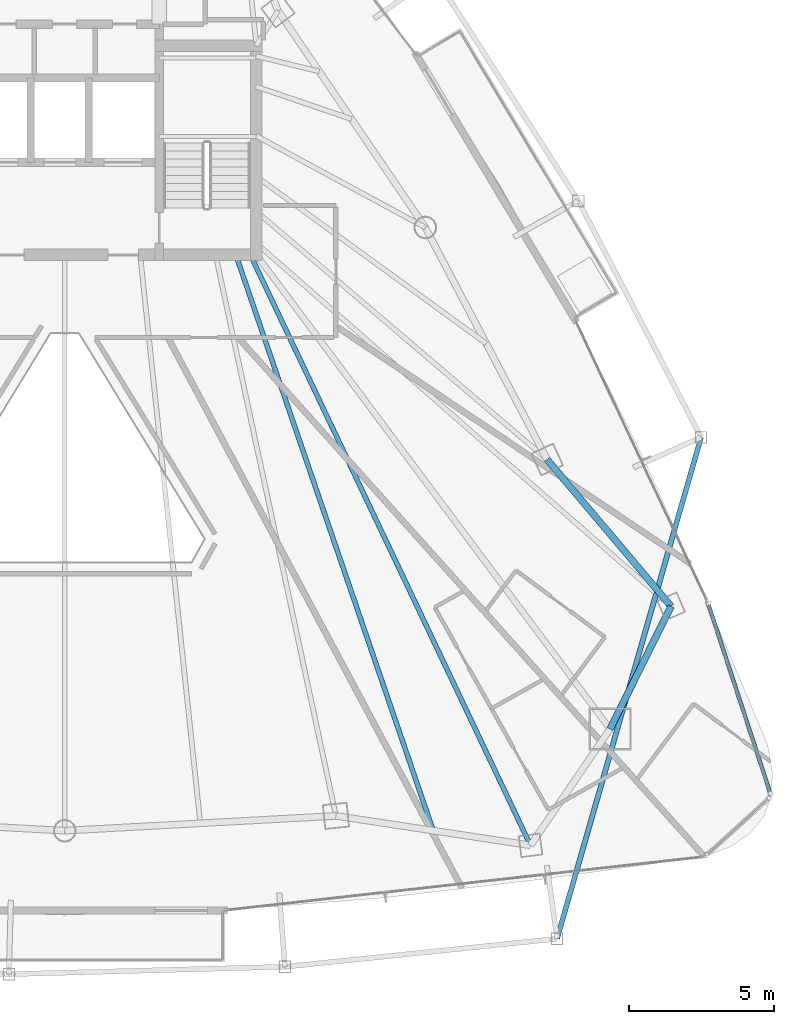
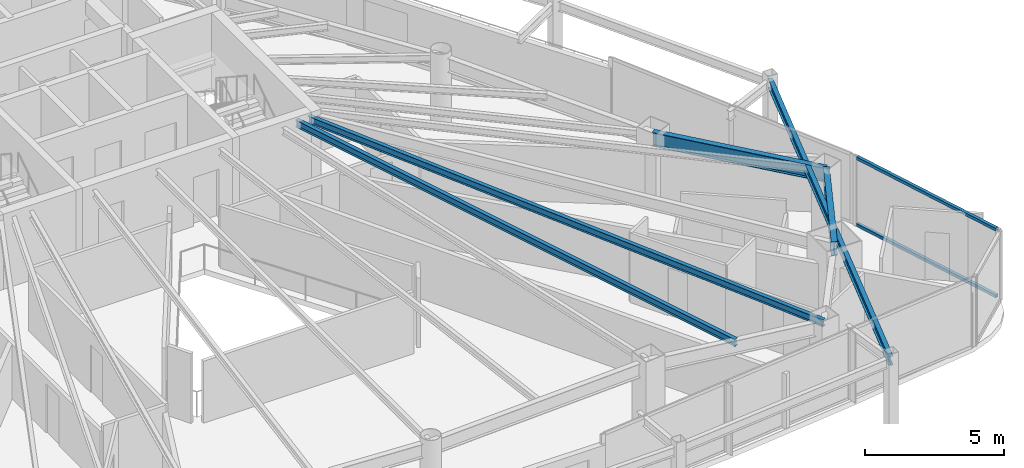
# One storey, part 16 of 30: 5 beams, 2 members, 1 element without a shape of its own.
"""IFC4 building model written with IfcOpenShell, lengths in metres."""

from ifc_helpers import new_model, si_unit, direction, frame, origin, origin_2d, place, context, subcontext, project, spatial, hollow_rectangle, i_section, extrude, material, layer, layer_set, material_profile, profile_set, type_object, element, aggregate, save


model = new_model("IFC4")

# Units and contexts
model_context = context("Model", 3, precision=1e-05, world=origin(), true_north=direction((0.0, 1.0)))
body_context = subcontext(model_context, "Body", "Model", "MODEL_VIEW")
ifc_project = project(units=[si_unit("LENGTHUNIT", "METRE"), si_unit("AREAUNIT", "SQUARE_METRE"), si_unit("VOLUMEUNIT", "CUBIC_METRE"), si_unit("PLANEANGLEUNIT", "RADIAN"), si_unit("MASSUNIT", "GRAM", prefix="KILO")], contexts=[model_context])

# Site, building, storey
site_placement = place(None, origin())
site = spatial("IfcSite", under=ifc_project, at=site_placement, CompositionType="ELEMENT")
building_placement = place(site_placement, origin())
building = spatial("IfcBuilding", under=site, at=building_placement, Name="Orvanel Arch Residences", CompositionType="ELEMENT")
storey_placement = place(building_placement, frame((0.0, 0.0, 180.35009765625)))
storey = spatial("IfcBuildingStorey", under=building, at=storey_placement, Name="L51", CompositionType="ELEMENT", Elevation=180.35009765625)

# Beams
ifc_material_1 = material(Name="Structural steel AS/NZS 3679.1 Grade 300 (300 MPa)", Category="steel")
ifc_material_profile_1 = material_profile(ifc_material_1, i_section(OverallWidth=0.1650390625, OverallDepth=0.303955078125, WebThickness=0.006103515625, FlangeThickness=0.01025390625, at=origin_2d()), Name="310UB40.4")
ifc_profile_set_1 = profile_set([ifc_material_profile_1], Name="Structural steel AS/NZS 3679.1 Grade 300 (300 MPa)")
beam_type_1 = type_object("IfcBeamType", Name="BJ-310UB", PredefinedType="JOIST", material=ifc_profile_set_1)
beam_1_placement = place(storey_placement, frame((39.39990234375, 26.699951171875, 2.907958984375), z_axis=(0.428614365266, -0.903487534993, 0.0), x_axis=(0.903487534993, 0.428614365266, 0.0)))
element("IfcBeam", 1, at=beam_1_placement, inside=storey, type_object=beam_type_1, Name="L51 MSE Wing Floor Joist", PredefinedType="JOIST", context=body_context, shape_type="SweptSolid", body=[
    extrude(i_section(OverallWidth=0.1650390625, OverallDepth=0.303955078125, WebThickness=0.006103515625, FlangeThickness=0.01025390625, at=origin_2d()), origin(), (0.0, 0.0, 1.0), 22.535888671875),
])
beam_2_placement = place(storey_placement, frame((38.89990234375, 26.699951171875, 2.907958984375), z_axis=(0.324257108963, -0.945968988544, 0.0), x_axis=(0.945968988544, 0.324257108963, 0.0)))
element("IfcBeam", 2, at=beam_2_placement, inside=storey, type_object=beam_type_1, Name="L51 JADD2 Wing Floor Joist", PredefinedType="JOIST", context=body_context, shape_type="SweptSolid", body=[
    extrude(i_section(OverallWidth=0.1650390625, OverallDepth=0.303955078125, WebThickness=0.006103515625, FlangeThickness=0.01025390625, at=origin_2d()), origin(), (0.0, 0.0, 1.0), 20.987060546875),
])
ifc_material_profile_2 = material_profile(ifc_material_1, i_section(OverallWidth=0.177978515625, OverallDepth=0.406005859375, WebThickness=0.0078125, FlangeThickness=0.0126953125, at=origin_2d()), Name="410UB59.7")
ifc_profile_set_2 = profile_set([ifc_material_profile_2], Name="Structural steel AS/NZS 3679.1 Grade 300 (300 MPa)")
beam_type_2 = type_object("IfcBeamType", Name="OB-410UB-EXT", PredefinedType="SPANDREL", material=ifc_profile_set_2)
beam_3_placement = place(storey_placement, frame((49.97509765625, 3.118896484375, 2.85693359375), z_axis=(0.276025957266, 0.961150181249, 0.0), x_axis=(-0.961150181249, 0.276025957266, 0.0)))
element("IfcBeam", 3, at=beam_3_placement, inside=storey, type_object=beam_type_2, Name="L51 Outer Perimeter Floor Ring Beam 08", PredefinedType="SPANDREL", context=body_context, shape_type="SweptSolid", body=[
    extrude(i_section(OverallWidth=0.177978515625, OverallDepth=0.406005859375, WebThickness=0.0078125, FlangeThickness=0.0126953125, at=origin_2d()), origin(), (0.0, 0.0, 1.0), 17.98681640625),
])
ifc_material_profile_3 = material_profile(ifc_material_1, i_section(OverallWidth=0.22900390625, OverallDepth=0.612060546875, WebThickness=0.011962890625, FlangeThickness=0.01953125, at=origin_2d()), Name="610UB125")
ifc_profile_set_3 = profile_set([ifc_material_profile_3], Name="Structural steel AS/NZS 3679.1 Grade 300 (300 MPa)")
beam_type_3 = type_object("IfcBeamType", Name="SP-610UB", PredefinedType="SPANDREL", material=ifc_profile_set_3)
beam_4_placement = place(storey_placement, frame((51.801025390625, 10.35107421875, 2.75390625), z_axis=(0.44543469453, 0.895314432425, 0.0), x_axis=(-0.895314432425, 0.44543469453, 0.0)))
element("IfcBeam", 4, at=beam_4_placement, inside=storey, type_object=beam_type_3, Name="L51 Perimeter Spandrel Beam 09", PredefinedType="SPANDREL", context=body_context, shape_type="SweptSolid", body=[
    extrude(i_section(OverallWidth=0.22900390625, OverallDepth=0.612060546875, WebThickness=0.011962890625, FlangeThickness=0.01953125, at=origin_2d()), origin(), (0.0, 0.0, 1.0), 4.723388671875),
])
beam_5_placement = place(storey_placement, frame((53.905029296875, 14.580078125, 2.75390625), z_axis=(-0.644950329775, 0.764224490659, 0.0), x_axis=(-0.764224490659, -0.644950329775, 0.0)))
element("IfcBeam", 5, at=beam_5_placement, inside=storey, type_object=beam_type_3, Name="L51 Perimeter Spandrel Beam 10", PredefinedType="SPANDREL", context=body_context, shape_type="SweptSolid", body=[
    extrude(i_section(OverallWidth=0.22900390625, OverallDepth=0.612060546875, WebThickness=0.011962890625, FlangeThickness=0.01953125, at=origin_2d()), origin(), (0.0, 0.0, 1.0), 6.623779296875),
])

# Curtain wall, members
ifc_material_2 = material(Name="Bronze-anodised aluminium AA6063-T6", Category="aluminium")
ifc_layer = layer(ifc_material_2, 0.18994140625)
ifc_layer_set = layer_set([ifc_layer], Name="Bronze-anodised aluminium AA6063-T6")
curtain_wall_type = type_object("IfcCurtainWallType", Name="CW5-CRN-SYS", PredefinedType="NOTDEFINED", material=ifc_layer_set)
curtain_wall_placement = place(storey_placement, origin())
curtain_wall = element("IfcCurtainWall", 6, at=curtain_wall_placement, inside=storey, type_object=curtain_wall_type, Name="L51 CW5-CRN-SYS Unitised Curtain Wall", PredefinedType="NOTDEFINED")
ifc_material_profile_4 = material_profile(ifc_material_2, hollow_rectangle(XDim=0.1298828125, YDim=0.1298828125, WallThickness=0.00439453125, at=origin_2d()), Name="ALU130x130x4.5")
ifc_profile_set_4 = profile_set([ifc_material_profile_4], Name="Bronze-anodised aluminium AA6063-T6")
member_type = type_object("IfcMemberType", Name="TRN-130x130", PredefinedType="USERDEFINED", material=ifc_profile_set_4)
member_1_placement = place(storey_placement, frame((57.308349609375, 8.193603515625, 0.06494140625), z_axis=(-0.311462708749, 0.950258375948, 0.0), x_axis=(-0.950258375948, -0.311462708749, 0.0)))
member_1 = element("IfcMember", 7, at=member_1_placement, type_object=member_type, Name="CW-S5 transom 1.1", ObjectType="TRANSOM", PredefinedType="USERDEFINED", context=body_context, shape_type="SweptSolid", body=[
    extrude(hollow_rectangle(XDim=0.1298828125, YDim=0.1298828125, WallThickness=0.00439453125, at=origin_2d()), origin(), (0.0, 0.0, 1.0), 6.738037109375),
])
member_2_placement = place(storey_placement, frame((57.308349609375, 8.193603515625, 2.994873046875), z_axis=(-0.311462708749, 0.950258375948, 0.0), x_axis=(-0.950258375948, -0.311462708749, 0.0)))
member_2 = element("IfcMember", 8, at=member_2_placement, type_object=member_type, Name="CW-S5 transom 1.2", ObjectType="TRANSOM", PredefinedType="USERDEFINED", context=body_context, shape_type="SweptSolid", body=[
    extrude(hollow_rectangle(XDim=0.1298828125, YDim=0.1298828125, WallThickness=0.00439453125, at=origin_2d()), origin(), (0.0, 0.0, 1.0), 6.738037109375),
])
aggregate(curtain_wall, [member_1, member_2])

save(model, "model.ifc")
